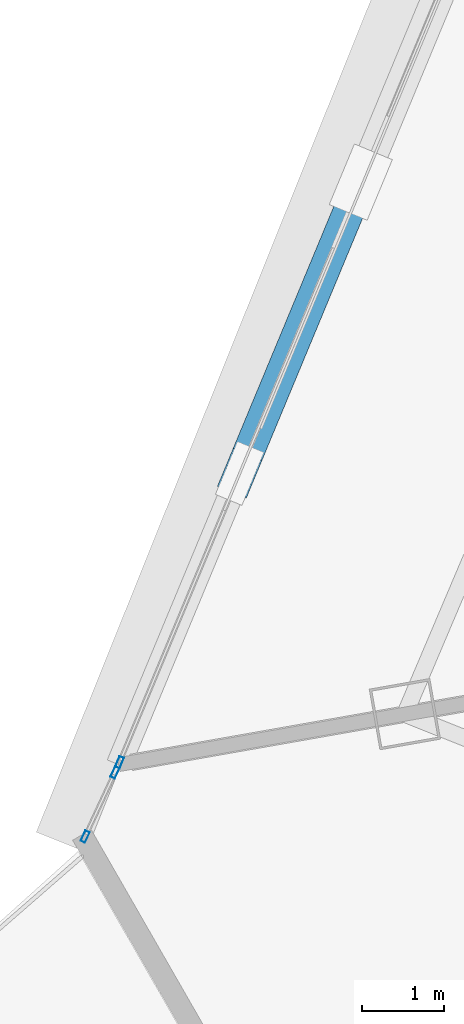
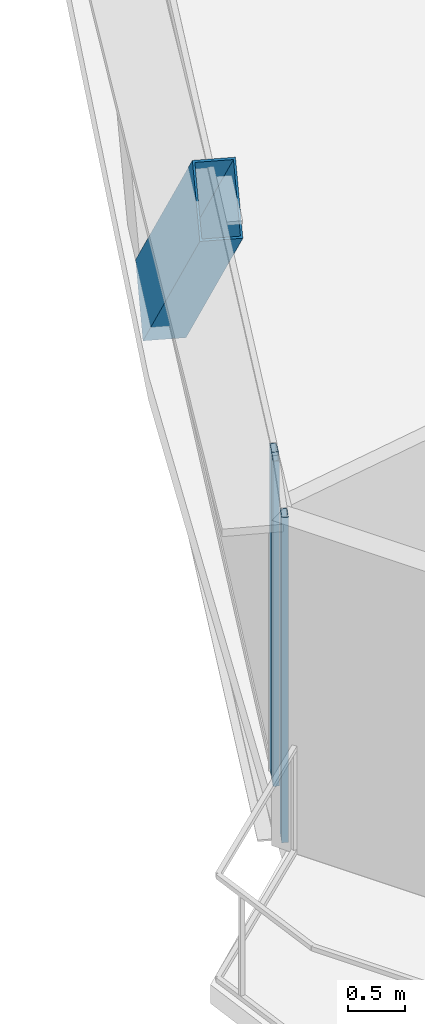
# One storey, part 4 of 37: 4 members, 2 elements without a shape of their own.
"""IFC4 building model written with IfcOpenShell, lengths in metres."""

from ifc_helpers import new_model, si_unit, direction, frame, origin, origin_2d, place, context, subcontext, project, spatial, hollow_rectangle, extrude, source, transform, mapped, material, layer, layer_set, material_profile, profile_set, type_object, element, aggregate, save


model = new_model("IFC4")

# Units and contexts
model_context = context("Model", 3, precision=1e-05, world=origin(), true_north=direction((0.0, 1.0)))
body_context = subcontext(model_context, "Body", "Model", "MODEL_VIEW")
ifc_project = project(units=[si_unit("LENGTHUNIT", "METRE"), si_unit("AREAUNIT", "SQUARE_METRE"), si_unit("VOLUMEUNIT", "CUBIC_METRE"), si_unit("PLANEANGLEUNIT", "RADIAN"), si_unit("MASSUNIT", "GRAM", prefix="KILO"), si_unit("THERMODYNAMICTEMPERATUREUNIT", "KELVIN"), si_unit("POWERUNIT", "WATT")], contexts=[model_context])

# Site, building, storey
site_placement = place(None, origin())
site = spatial("IfcSite", under=ifc_project, at=site_placement, CompositionType="ELEMENT")
building_placement = place(site_placement, origin())
building = spatial("IfcBuilding", under=site, at=building_placement, Name="Yunzhuo Pagoda Commons", CompositionType="ELEMENT")
storey_placement = place(building_placement, frame((0.0, 0.0, 281.2900390625)))
storey = spatial("IfcBuildingStorey", under=building, at=storey_placement, Name="L70", CompositionType="ELEMENT", Elevation=281.2900390625)

# Member
ifc_material_1 = material(Name="Structural steel Q355B", Category="steel")
ifc_material_profile_1 = material_profile(ifc_material_1, hollow_rectangle(XDim=0.3798828125, YDim=0.719970703125, WallThickness=0.02001953125, at=origin_2d()), Name="Structural steel Q355B")
ifc_profile_set_1 = profile_set([ifc_material_profile_1], Name="Structural steel Q355B")
member_type_1 = type_object("IfcMemberType", Name="M-DL3 Brace BOX 720x380x20", PredefinedType="BRACE", material=ifc_profile_set_1)
shared_shape_1 = source(origin(), body_context, "Body", "SweptSolid", [
    extrude(hollow_rectangle(XDim=0.3798828125, YDim=0.719970703125, WallThickness=0.02001953125, at=origin_2d()), origin(), (0.0, 0.0, 1.0), 5.356201171875),
])
member_1_placement = place(storey_placement, frame((18.80078125, 35.1298828125, -0.260009765625), z_axis=(-0.275496588463, -0.662668663645, 0.696399218817), x_axis=(0.923381054941, -0.383884653739, 0.0)))
element("IfcMember", 1, at=member_1_placement, inside=storey, type_object=member_type_1, Name="L70 facade diamond brace F3.3R", PredefinedType="BRACE", context=body_context, shape_type="MappedRepresentation", body=[
    mapped(shared_shape_1, transform((0.0, 0.0, 0.0), scale=1.0)),
])

# Curtain wall, member
ifc_material_2 = material(Name="Anodized aluminium 6063-T6", Category="aluminium")
ifc_layer = layer(ifc_material_2, 0.139892578125)
ifc_layer_set = layer_set([ifc_layer], Name="Anodized aluminium 6063-T6")
curtain_wall_type = type_object("IfcCurtainWallType", Name="CW-HI High-Zone Ribbon Curtain Wall", PredefinedType="NOTDEFINED", material=ifc_layer_set)
curtain_wall_1_placement = place(storey_placement, origin())
curtain_wall_1 = element("IfcCurtainWall", 2, at=curtain_wall_1_placement, inside=storey, type_object=curtain_wall_type, Name="L70 curtain wall CW-L70-F3B4", PredefinedType="NOTDEFINED")
ifc_material_profile_2 = material_profile(ifc_material_2, hollow_rectangle(XDim=0.06005859375, YDim=0.139892578125, WallThickness=0.00341796875, at=origin_2d()), Name="Anodized aluminium 6063-T6")
ifc_profile_set_2 = profile_set([ifc_material_profile_2], Name="Anodized aluminium 6063-T6")
member_type_2 = type_object("IfcMemberType", Name="CW-HI-M Mullion RHS 140x60x3.5", PredefinedType="MULLION", material=ifc_profile_set_2)
shared_shape_2 = source(origin(), body_context, "Body", "SweptSolid", [
    extrude(hollow_rectangle(XDim=0.06005859375, YDim=0.139892578125, WallThickness=0.00341796875, at=origin_2d()), origin(), (0.0, 0.0, 1.0), 3.469970703125),
])
member_2_placement = place(storey_placement, frame((15.861328125, 28.058837890625, 0.0), z_axis=(0.0, 0.0, 1.0), x_axis=(0.923393531316, -0.383854642182, 0.0)))
member_2 = element("IfcMember", 3, at=member_2_placement, type_object=member_type_2, Name="CW mullion 2", PredefinedType="MULLION", context=body_context, shape_type="MappedRepresentation", body=[
    mapped(shared_shape_2, transform((0.0, 0.0, 0.0), scale=1.0)),
])
aggregate(curtain_wall_1, [member_2])

# Curtain wall, members
curtain_wall_2_placement = place(storey_placement, origin())
curtain_wall_2 = element("IfcCurtainWall", 4, at=curtain_wall_2_placement, inside=storey, type_object=curtain_wall_type, Name="L70 curtain wall CW-L70-F3B5", PredefinedType="NOTDEFINED")
member_3_placement = place(storey_placement, frame((15.8056640625, 27.935791015625, 0.0), z_axis=(0.0, 0.0, 1.0), x_axis=(0.906871417291, -0.421407442389, 0.0)))
member_3 = element("IfcMember", 5, at=member_3_placement, type_object=member_type_2, Name="CW mullion 1", PredefinedType="MULLION", context=body_context, shape_type="MappedRepresentation", body=[
    mapped(shared_shape_2, transform((0.0, 0.0, 0.0), scale=1.0)),
])
member_4_placement = place(storey_placement, frame((15.442138671875, 27.15380859375, 0.0), z_axis=(0.0, 0.0, 1.0), x_axis=(0.906871417291, -0.421407442389, 0.0)))
member_4 = element("IfcMember", 6, at=member_4_placement, type_object=member_type_2, Name="CW mullion 2", PredefinedType="MULLION", context=body_context, shape_type="MappedRepresentation", body=[
    mapped(shared_shape_2, transform((0.0, 0.0, 0.0), scale=1.0)),
])
aggregate(curtain_wall_2, [member_3, member_4])

save(model, "model.ifc")
